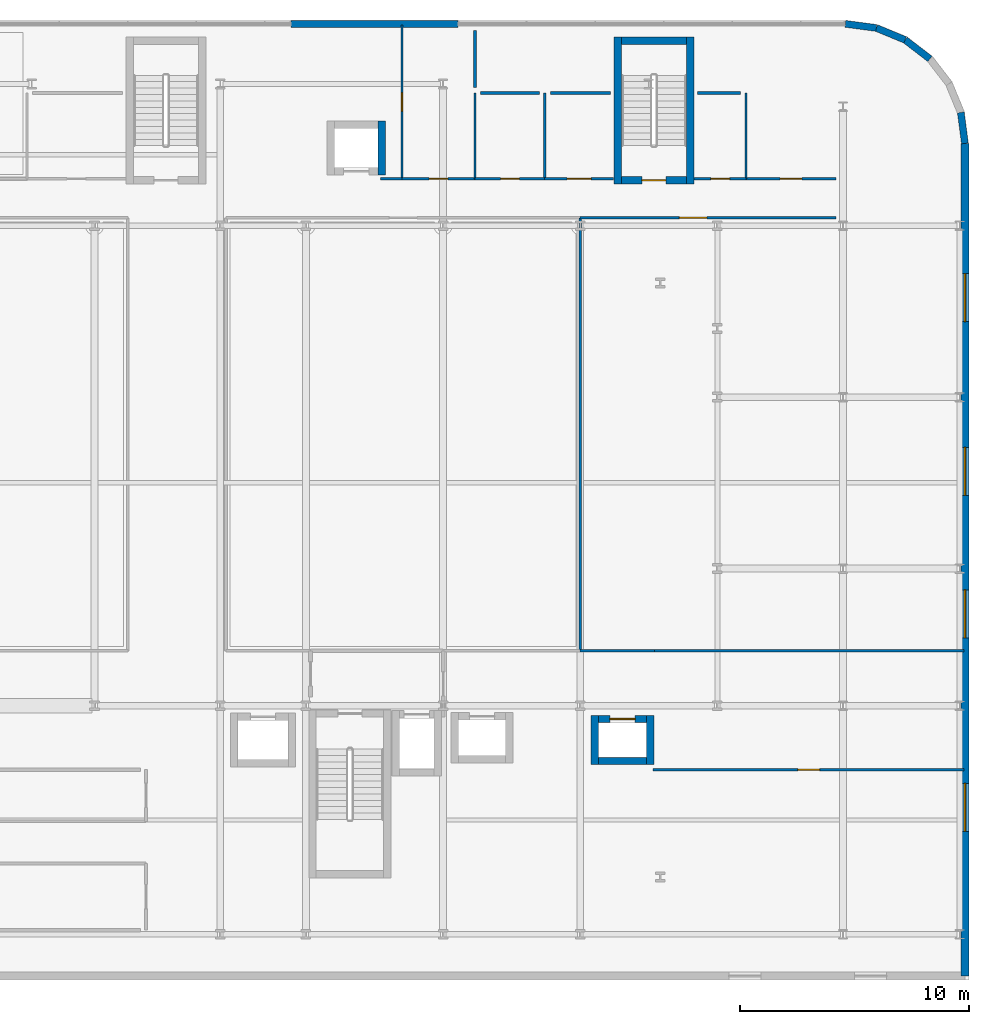
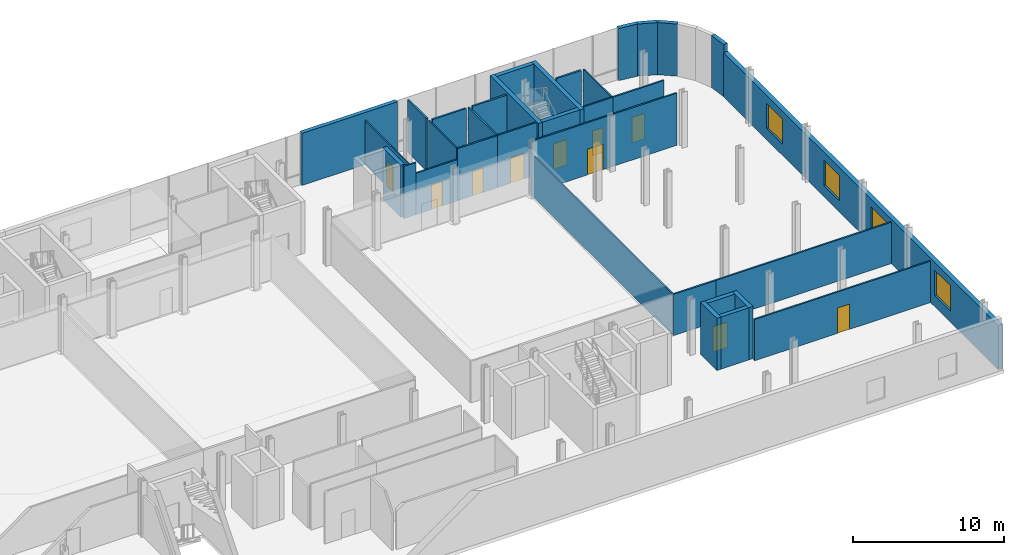
# One storey, part 19 of 25: 34 walls, 10 doors, 4 windows, 14 openings.
"""IFC4 building model written with IfcOpenShell, lengths in metres."""

import ifcopenshell
import ifcopenshell.guid

model = None  # the IFC model being written
_history = None  # IfcOwnerHistory: only IFC2X3 demands one
_inside = {}  # id of a spatial element -> (the spatial element, [elements in it])
_under = {}  # id of a project, library or spatial element -> (it, [spatial elements below it])
_declared = {}  # id of a project -> (the project, [libraries it declares])
_typed = {}  # id of a type object -> (the type object, [elements of that type])
_made_of = {}  # id of a material, layer set ... -> (it, [elements and type objects made of it])


def new_model(schema):
    """Start an empty IFC model of exactly this schema.

    Asked for "IFC4X3", IfcOpenShell would pick the latest addendum, in which some entities
    have other attributes; the version numbers below select the first issue.
    IFC2X3 requires an IfcOwnerHistory on every rooted entity: one is made here for all.
    """
    global model, _history
    if schema == "IFC4X3":
        model = ifcopenshell.file(schema_version=(4, 3, 0, 0))
    else:
        model = ifcopenshell.file(schema=schema)
    _inside.clear()
    _under.clear()
    _declared.clear()
    _typed.clear()
    _made_of.clear()
    _history = None
    if model.schema == "IFC2X3":
        org = make("IfcOrganization", Name="unknown")
        user = make(
            "IfcPersonAndOrganization",
            ThePerson=make("IfcPerson", FamilyName="unknown"),
            TheOrganization=org,
        )
        app = make(
            "IfcApplication",
            ApplicationDeveloper=org,
            Version="unknown",
            ApplicationFullName="unknown",
            ApplicationIdentifier="unknown",
        )
        _history = make(
            "IfcOwnerHistory",
            OwningUser=user,
            OwningApplication=app,
            ChangeAction="ADDED",
            CreationDate=0,
        )
    return model


def make(cls, **values):
    """One entity of the class cls with the attributes given. An attribute that is None is left unset."""
    return model.create_entity(
        cls, **{name: value for name, value in values.items() if value is not None}
    )


def rooted(cls, **values):
    """An entity with a GlobalId (a new one), such as an element, a storey or a relation."""
    return make(cls, GlobalId=ifcopenshell.guid.new(), OwnerHistory=_history, **values)


def si_unit(unit_type, name, prefix=None):
    """IfcSIUnit, for example si_unit("LENGTHUNIT", "METRE", prefix="MILLI")."""
    return make("IfcSIUnit", UnitType=unit_type, Prefix=prefix, Name=name)


def assignment(units):
    """IfcUnitAssignment: the units of a project."""
    return None if units is None else make("IfcUnitAssignment", Units=units)


def point(xyz):
    """IfcCartesianPoint."""
    return None if xyz is None else make("IfcCartesianPoint", Coordinates=xyz)


def direction(xyz):
    """IfcDirection."""
    return None if xyz is None else make("IfcDirection", DirectionRatios=xyz)


def frame(location, z_axis=None, x_axis=None):
    """IfcAxis2Placement3D, a coordinate frame: its origin and axes. An axis left out is left unset."""
    return make(
        "IfcAxis2Placement3D",
        Location=point(location),
        Axis=direction(z_axis),
        RefDirection=direction(x_axis),
    )


def frame_2d(location, x_axis=None):
    """IfcAxis2Placement2D, a coordinate frame in the plane: its origin and x axis."""
    return make(
        "IfcAxis2Placement2D", Location=point(location), RefDirection=direction(x_axis)
    )


def origin():
    """The frame at (0, 0, 0) with its axes left unset."""
    return frame((0.0, 0.0, 0.0))


def place(relative_to, where):
    """IfcLocalPlacement: puts the frame where relative to a parent placement (None: the world)."""
    return make(
        "IfcLocalPlacement", PlacementRelTo=relative_to, RelativePlacement=where
    )


def context(
    kind, dimensions, precision=None, world=None, true_north=None, identifier=None
):
    """IfcGeometricRepresentationContext, for example the 3D "Model" context."""
    return make(
        "IfcGeometricRepresentationContext",
        ContextIdentifier=identifier,
        ContextType=kind,
        CoordinateSpaceDimension=dimensions,
        Precision=precision,
        WorldCoordinateSystem=world,
        TrueNorth=true_north,
    )


def subcontext(parent, identifier, kind, view, scale=None):
    """IfcGeometricRepresentationSubContext, for example "Body" below "Model"."""
    return make(
        "IfcGeometricRepresentationSubContext",
        ContextIdentifier=identifier,
        ContextType=kind,
        ParentContext=parent,
        TargetScale=scale,
        TargetView=view,
    )


def project(units=None, contexts=None):
    """IfcProject with its units and contexts."""
    return rooted(
        "IfcProject",
        Name="project",
        RepresentationContexts=contexts,
        UnitsInContext=assignment(units),
    )


def spatial(cls, under=None, at=None, **own):
    """A site, building, storey or space (cls), placed at a placement, below another one or the project."""
    s = rooted(cls, ObjectPlacement=at, **own)
    if under is not None:
        _under.setdefault(under.id(), (under, []))[1].append(s)
    return s


def profile(cls, at=None, kind="AREA", **sizes):
    """A parametric profile (cls). Its sizes go by their IFC names, for example OverallWidth=200.0."""
    return make(cls, ProfileType=kind, Position=at, **sizes)


def rectangle(**sizes):
    """IfcRectangleProfileDef."""
    return profile("IfcRectangleProfileDef", **sizes)


def extrude(swept, where, along, depth):
    """IfcExtrudedAreaSolid: the profile swept, set in the frame where, extruded along a direction by depth."""
    return make(
        "IfcExtrudedAreaSolid",
        SweptArea=swept,
        Position=where,
        ExtrudedDirection=direction(along),
        Depth=depth,
    )


def shape(context_of_items, identifier, shape_type, items):
    """IfcShapeRepresentation: the items that make up one representation, for example the "Body"."""
    return make(
        "IfcShapeRepresentation",
        ContextOfItems=context_of_items,
        RepresentationIdentifier=identifier,
        RepresentationType=shape_type,
        Items=items,
    )


def material(Name=None, Category=None):
    """IfcMaterial."""
    return make("IfcMaterial", Name=Name, Category=Category)


def layer(
    of_material, thickness, ventilated=None, Name=None, Category=None, Priority=None
):
    """IfcMaterialLayer: one layer of a wall or slab, of a material (None: an air gap)."""
    return make(
        "IfcMaterialLayer",
        Material=of_material,
        LayerThickness=thickness,
        IsVentilated=ventilated,
        Name=Name,
        Category=Category,
        Priority=Priority,
    )


def layer_set(layers, Name=None):
    """IfcMaterialLayerSet."""
    return make("IfcMaterialLayerSet", MaterialLayers=layers, LayerSetName=Name)


def made_of(thing, what):
    """Note that an element or type object is made of a material, layer set ...; save() writes the relation."""
    if what is not None:
        _made_of.setdefault(what.id(), (what, []))[1].append(thing)
    return thing


def type_object(cls, material=None, **own):
    """A type object (cls), such as IfcWallType, which elements share."""
    return made_of(rooted(cls, **own), material)


def element(
    cls,
    number,
    at=None,
    inside=None,
    cuts=None,
    type_object=None,
    material=None,
    context=None,
    identifier="Body",
    shape_type=None,
    held_by="IfcProductDefinitionShape",
    body=None,
    shapes=None,
    **own,
):
    """One element of the class cls, such as IfcWall. Its Tag is "e" and its number.

    at: its placement. inside: the storey or other place that contains it. cuts: it is an
    opening in that element (IfcRelVoidsElement). A single representation is given by context,
    identifier, shape_type and body (its items); several are given by shapes. held_by: the class
    of the entity that holds the representations. save() writes the other relations.
    """
    e = rooted(cls, Tag="e%d" % number, ObjectPlacement=at, **own)
    if body is not None:
        shapes = [shape(context, identifier, shape_type, body)]
    if shapes is not None:
        e.Representation = make(held_by, Representations=shapes)
    if inside is not None:
        _inside.setdefault(inside.id(), (inside, []))[1].append(e)
    if cuts is not None:
        rooted(
            "IfcRelVoidsElement", RelatingBuildingElement=cuts, RelatedOpeningElement=e
        )
    if type_object is not None:
        _typed.setdefault(type_object.id(), (type_object, []))[1].append(e)
    return made_of(e, material)


def fill(opening, filler):
    """IfcRelFillsElement: the door or window that sits in an opening."""
    return rooted(
        "IfcRelFillsElement",
        RelatingOpeningElement=opening,
        RelatedBuildingElement=filler,
    )


def aggregate(whole, parts):
    """IfcRelAggregates: a whole, such as a stair, and the parts it consists of."""
    return rooted("IfcRelAggregates", RelatingObject=whole, RelatedObjects=parts)


def save(model, path):
    """Write the relations noted so far, then the file.

    IfcRelAggregates (storeys below a building ...), IfcRelContainedInSpatialStructure (elements
    in a storey), IfcRelDefinesByType, IfcRelAssociatesMaterial and IfcRelDeclares: one each for
    every whole, place, type object, material and project.
    """
    for whole, parts in _under.values():
        aggregate(whole, parts)
    for where, things in _inside.values():
        rooted(
            "IfcRelContainedInSpatialStructure",
            RelatedElements=things,
            RelatingStructure=where,
        )
    for kind, things in _typed.values():
        rooted("IfcRelDefinesByType", RelatedObjects=things, RelatingType=kind)
    for what, things in _made_of.values():
        rooted("IfcRelAssociatesMaterial", RelatedObjects=things, RelatingMaterial=what)
    for by, libraries in _declared.values():
        rooted("IfcRelDeclares", RelatingContext=by, RelatedDefinitions=libraries)
    model.write(path)


model = new_model("IFC4")

# Units and contexts
model_context = context("Model", 3, precision=1e-05, world=origin(), true_north=direction((0.0, 1.0)))
body_context = subcontext(model_context, "Body", "Model", "MODEL_VIEW")
ifc_project = project(units=[si_unit("LENGTHUNIT", "METRE"), si_unit("AREAUNIT", "SQUARE_METRE"), si_unit("VOLUMEUNIT", "CUBIC_METRE"), si_unit("PLANEANGLEUNIT", "RADIAN"), si_unit("MASSUNIT", "GRAM", prefix="KILO")], contexts=[model_context])

# Site, building, storey
site_placement = place(None, origin())
site = spatial("IfcSite", under=ifc_project, at=site_placement, CompositionType="ELEMENT")
building_placement = place(site_placement, origin())
building = spatial("IfcBuilding", under=site, at=building_placement, Name="Brevholm Reach", CompositionType="ELEMENT")
storey_placement = place(building_placement, frame((0.0, 0.0, 13.5)))
storey = spatial("IfcBuildingStorey", under=building, at=storey_placement, Name="L03", CompositionType="ELEMENT", Elevation=13.5)

# Walls
ifc_material_1 = material(Name="Concrete C60/75", Category="concrete")
ifc_layer_1 = layer(ifc_material_1, 0.320068359375)
ifc_layer_set_1 = layer_set([ifc_layer_1], Name="Concrete C60/75")
wall_type_1 = type_object("IfcWallType", Name="WAL-COR-320", PredefinedType="SHEAR", material=ifc_layer_set_1)
for number, where, z_axis, x_axis, name in (
    (1, (55.639892578125, 32.830078125, 0.0), (0.0, 0.0, 1.0), (0.0, 1.0, 0.0), "L03 Escape Stair ST-S4 Core Wall W"),
    (2, (58.81005859375, 32.830078125, 0.0), (0.0, 0.0, 1.0), (0.0, 1.0, 0.0), "L03 Escape Stair ST-S4 Core Wall E"),
):
    element("IfcWall", number, at=place(storey_placement, frame(where, z_axis=z_axis, x_axis=x_axis)), inside=storey, type_object=wall_type_1, Name=name, PredefinedType="SHEAR", context=body_context, shape_type="SweptSolid", body=[
        extrude(rectangle(XDim=6.419921875, YDim=0.320068359375, at=frame_2d((3.2099609375, 0.0))), origin(), (0.0, 0.0, 1.0), 4.219970703125),
    ])

# Wall, opening, door
wall_1_placement = place(storey_placement, frame((55.800048828125, 32.989990234375, 0.0), z_axis=(0.0, 0.0, 1.0), x_axis=(1.0, 0.0, 0.0)))
wall_1 = element("IfcWall", 3, at=wall_1_placement, inside=storey, type_object=wall_type_1, Name="L03 Escape Stair ST-S4 Core Wall S", PredefinedType="SHEAR", context=body_context, shape_type="SweptSolid", body=[
    extrude(rectangle(XDim=2.849853515625, YDim=0.320068359375, at=frame_2d((1.4248046875, 0.0))), origin(), (0.0, 0.0, 1.0), 4.219970703125),
])
opening_1_placement = place(wall_1_placement, frame((0.89990234375, 0.0, 0.0)))
opening_1 = element("IfcOpeningElement", 4, at=opening_1_placement, cuts=wall_1, Name="Opening SD-ST-S4", PredefinedType="OPENING", context=body_context, shape_type="SweptSolid", body=[
    extrude(rectangle(XDim=1.050048828125, YDim=2.06005859375, at=frame_2d((0.52490234375, 1.030029296875))), frame((0.0, 0.169921875, 0.0), z_axis=(0.0, -1.0, 0.0), x_axis=(1.0, 0.0, 0.0)), (0.0, 0.0, 1.0), 0.340087890625),
])
ifc_material_2 = material(Name="Hardwood-Lipped Steel-Core Fire and Smoke Door", Category="steel")
door_type_1 = type_object("IfcDoorType", Name="DOR-INT-FD60S", OperationType="NOTDEFINED", PredefinedType="DOOR", material=ifc_material_2)
door_1_placement = place(opening_1_placement, origin())
door_1 = element("IfcDoor", 5, at=door_1_placement, inside=storey, type_object=door_type_1, Name="L03 Protected Stair ST-S4 Lobby Door", OperationType="SINGLE_SWING_RIGHT", OverallHeight=2.06005859375, OverallWidth=1.050048828125, PredefinedType="DOOR", context=body_context, shape_type="SweptSolid", body=[
    extrude(rectangle(XDim=1.050048828125, YDim=2.06005859375, at=frame_2d((0.52490234375, 1.030029296875))), frame((0.0, 0.02490234375, 0.0), z_axis=(0.0, -1.0, 0.0), x_axis=(1.0, 0.0, 0.0)), (0.0, 0.0, 1.0), 0.050048828125),
])
fill(opening_1, door_1)

# Walls
wall_2_placement = place(storey_placement, frame((58.64990234375, 39.090087890625, 0.0), z_axis=(0.0, 0.0, 1.0), x_axis=(-1.0, 0.0, 0.0)))
element("IfcWall", 6, at=wall_2_placement, inside=storey, type_object=wall_type_1, Name="L03 Escape Stair ST-S4 Core Wall N", PredefinedType="SHEAR", context=body_context, shape_type="SweptSolid", body=[
    extrude(rectangle(XDim=2.849853515625, YDim=0.320068359375, at=frame_2d((1.4248046875, 0.0))), origin(), (0.0, 0.0, 1.0), 4.219970703125),
])
for number, where, z_axis, x_axis, name in (
    (7, (54.6298828125, 7.419921875, 0.0), (0.0, 0.0, 1.0), (0.0, 1.0, 0.0), "L03 Lift PL-L2 Shaft Wall W"),
    (8, (57.070068359375, 7.419921875, 0.0), (0.0, 0.0, 1.0), (0.0, 1.0, 0.0), "L03 Lift PL-L2 Shaft Wall E"),
):
    element("IfcWall", number, at=place(storey_placement, frame(where, z_axis=z_axis, x_axis=x_axis)), inside=storey, type_object=wall_type_1, Name=name, PredefinedType="SHEAR", context=body_context, shape_type="SweptSolid", body=[
        extrude(rectangle(XDim=2.16015625, YDim=0.320068359375, at=frame_2d((1.080078125, 0.0))), origin(), (0.0, 0.0, 1.0), 4.219970703125),
    ])
wall_3_placement = place(storey_placement, frame((54.7900390625, 7.580078125, 0.0), z_axis=(0.0, 0.0, 1.0), x_axis=(1.0, 0.0, 0.0)))
element("IfcWall", 9, at=wall_3_placement, inside=storey, type_object=wall_type_1, Name="L03 Lift PL-L2 Shaft Wall S", PredefinedType="SHEAR", context=body_context, shape_type="SweptSolid", body=[
    extrude(rectangle(XDim=2.119873046875, YDim=0.320068359375, at=frame_2d((1.06005859375, 0.0))), origin(), (0.0, 0.0, 1.0), 4.219970703125),
])

# Wall, opening, door
wall_4_placement = place(storey_placement, frame((54.7900390625, 9.419921875, 0.0), z_axis=(0.0, 0.0, 1.0), x_axis=(1.0, 0.0, 0.0)))
wall_4 = element("IfcWall", 10, at=wall_4_placement, inside=storey, type_object=wall_type_1, Name="L03 Lift PL-L2 Shaft Wall N", PredefinedType="SHEAR", context=body_context, shape_type="SweptSolid", body=[
    extrude(rectangle(XDim=2.119873046875, YDim=0.320068359375, at=frame_2d((1.06005859375, 0.0))), origin(), (0.0, 0.0, 1.0), 4.219970703125),
])
opening_2_placement = place(wall_4_placement, frame((0.510009765625, 0.0, 0.0)))
opening_2 = element("IfcOpeningElement", 11, at=opening_2_placement, cuts=wall_4, Name="Opening LD-PL-L2", PredefinedType="OPENING", context=body_context, shape_type="SweptSolid", body=[
    extrude(rectangle(XDim=1.10009765625, YDim=2.06005859375, at=frame_2d((0.550048828125, 1.030029296875))), frame((0.0, 0.169921875, 0.0), z_axis=(0.0, -1.0, 0.0), x_axis=(1.0, 0.0, 0.0)), (0.0, 0.0, 1.0), 0.340087890625),
])
ifc_material_3 = material(Name="Brushed Stainless Steel Fire-Rated Sliding Lift Door", Category="steel")
door_type_2 = type_object("IfcDoorType", Name="DOR-LFT-1100", OperationType="NOTDEFINED", PredefinedType="DOOR", material=ifc_material_3)
door_2_placement = place(opening_2_placement, origin())
door_2 = element("IfcDoor", 12, at=door_2_placement, inside=storey, type_object=door_type_2, Name="L03 Lift PL-L2 Sliding Landing Door", OperationType="SLIDING_TO_RIGHT", OverallHeight=2.06005859375, OverallWidth=1.10009765625, PredefinedType="DOOR", context=body_context, shape_type="SweptSolid", body=[
    extrude(rectangle(XDim=1.10009765625, YDim=2.06005859375, at=frame_2d((0.550048828125, 1.030029296875))), frame((0.0, 0.02490234375, 0.0), z_axis=(0.0, -1.0, 0.0), x_axis=(1.0, 0.0, 0.0)), (0.0, 0.0, 1.0), 0.050048828125),
])
fill(opening_2, door_2)

# Walls
wall_5_placement = place(storey_placement, frame((45.320068359375, 33.219970703125, 0.0), z_axis=(0.0, 0.0, 1.0), x_axis=(0.0, 1.0, 0.0)))
element("IfcWall", 13, at=wall_5_placement, inside=storey, type_object=wall_type_1, Name="L03 Lift SL-2 Shaft Wall E", PredefinedType="SHEAR", context=body_context, shape_type="SweptSolid", body=[
    extrude(rectangle(XDim=2.360107421875, YDim=0.320068359375, at=frame_2d((1.18017578125, 0.0))), origin(), (0.0, 0.0, 1.0), 4.219970703125),
])
ifc_material_4 = material(Name="Concrete C40/50", Category="concrete")
ifc_layer_2 = layer(ifc_material_4, 0.300048828125)
ifc_layer_set_2 = layer_set([ifc_layer_2], Name="Concrete C40/50")
wall_type_2 = type_object("IfcWallType", Name="WAL-EXT-300", PredefinedType="STANDARD", material=ifc_layer_set_2)
wall_6_placement = place(storey_placement, frame((65.60009765625, 39.830078125, 0.0), z_axis=(0.0, 0.0, 1.0), x_axis=(0.991442117533, -0.13054703207, 0.0)))
element("IfcWall", 14, at=wall_6_placement, inside=storey, type_object=wall_type_2, Name="L03 Facade Wall WAL-L03-NEP-1", PredefinedType="STANDARD", context=body_context, shape_type="SweptSolid", body=[
    extrude(rectangle(XDim=1.365234375, YDim=0.300048828125, at=frame_2d((0.6826171875, 0.0))), origin(), (0.0, 0.0, 1.0), 4.219970703125),
])
wall_7_placement = place(storey_placement, frame((66.95361328125, 39.65185546875, 0.0), z_axis=(0.0, 0.0, 1.0), x_axis=(0.923894797396, -0.382646577594, 0.0)))
element("IfcWall", 15, at=wall_7_placement, inside=storey, type_object=wall_type_2, Name="L03 Facade Wall WAL-L03-NEP-2", PredefinedType="STANDARD", context=body_context, shape_type="SweptSolid", body=[
    extrude(rectangle(XDim=1.365478515625, YDim=0.300048828125, at=frame_2d((0.6826171875, 0.0))), origin(), (0.0, 0.0, 1.0), 4.219970703125),
])
for number, where, z_axis, x_axis, name in (
    (16, (68.215087890625, 39.12939453125, 0.0), (0.0, 0.0, 1.0), (0.793255091989, -0.6088894473, 0.0), "L03 Facade Wall WAL-L03-NEP-3"),
    (17, (70.65185546875, 35.95361328125, 0.0), (0.0, 0.0, 1.0), (0.13054703207, -0.991442117533, 0.0), "L03 Facade Wall WAL-L03-NEP-6"),
):
    element("IfcWall", number, at=place(storey_placement, frame(where, z_axis=z_axis, x_axis=x_axis)), inside=storey, type_object=wall_type_2, Name=name, PredefinedType="STANDARD", context=body_context, shape_type="SweptSolid", body=[
        extrude(rectangle(XDim=1.365234375, YDim=0.300048828125, at=frame_2d((0.6826171875, 0.0))), origin(), (0.0, 0.0, 1.0), 4.219970703125),
    ])
wall_8_placement = place(storey_placement, frame((41.35009765625, 39.830078125, 0.0), z_axis=(0.0, 0.0, 1.0), x_axis=(1.0, 0.0, 0.0)))
element("IfcWall", 18, at=wall_8_placement, inside=storey, type_object=wall_type_2, Name="L03 Facade Wall WAL-L03-NPE", PredefinedType="STANDARD", context=body_context, shape_type="SweptSolid", body=[
    extrude(rectangle(XDim=7.2998046875, YDim=0.300048828125, at=frame_2d((3.64990234375, 0.0))), origin(), (0.0, 0.0, 1.0), 4.219970703125),
])

# Wall, openings, windows
ifc_material_5 = material(Name="Concrete C40/50", Category="concrete")
ifc_layer_3 = layer(ifc_material_5, 0.340087890625)
ifc_layer_set_3 = layer_set([ifc_layer_3], Name="Concrete C40/50")
wall_type_3 = type_object("IfcWallType", Name="WAL-EXT-340", PredefinedType="STANDARD", material=ifc_layer_set_3)
wall_9_placement = place(storey_placement, frame((70.830078125, -1.830078125, 0.0), z_axis=(0.0, 0.0, 1.0), x_axis=(0.0, 1.0, 0.0)))
wall_9 = element("IfcWall", 19, at=wall_9_placement, inside=storey, type_object=wall_type_3, Name="L03 Facade Wall WAL-L03-E", PredefinedType="STANDARD", context=body_context, shape_type="SweptSolid", body=[
    extrude(rectangle(XDim=36.43017578125, YDim=0.340087890625, at=frame_2d((18.215087890625, 0.0))), origin(), (0.0, 0.0, 1.0), 3.582763671875),
])
opening_3_placement = place(wall_9_placement, frame((6.330078125, 0.0, 0.89990234375)))
opening_3 = element("IfcOpeningElement", 20, at=opening_3_placement, cuts=wall_9, Name="Opening WN-02", PredefinedType="OPENING", context=body_context, shape_type="SweptSolid", body=[
    extrude(rectangle(XDim=2.10009765625, YDim=2.050048828125, at=frame_2d((1.050048828125, 1.02490234375))), frame((0.0, 0.179931640625, 0.0), z_axis=(0.0, -1.0, 0.0), x_axis=(1.0, 0.0, 0.0)), (0.0, 0.0, 1.0), 0.360107421875),
])
opening_4_placement = place(wall_9_placement, frame((14.800048828125, 0.0, 0.89990234375)))
opening_4 = element("IfcOpeningElement", 21, at=opening_4_placement, cuts=wall_9, Name="Opening WN-02", PredefinedType="OPENING", context=body_context, shape_type="SweptSolid", body=[
    extrude(rectangle(XDim=2.10009765625, YDim=2.050048828125, at=frame_2d((1.050048828125, 1.02490234375))), frame((0.0, 0.179931640625, 0.0), z_axis=(0.0, -1.0, 0.0), x_axis=(1.0, 0.0, 0.0)), (0.0, 0.0, 1.0), 0.360107421875),
])
opening_5_placement = place(wall_9_placement, frame((21.030029296875, 0.0, 0.89990234375)))
opening_5 = element("IfcOpeningElement", 22, at=opening_5_placement, cuts=wall_9, Name="Opening WN-02", PredefinedType="OPENING", context=body_context, shape_type="SweptSolid", body=[
    extrude(rectangle(XDim=2.10009765625, YDim=2.050048828125, at=frame_2d((1.050048828125, 1.02490234375))), frame((0.0, 0.179931640625, 0.0), z_axis=(0.0, -1.0, 0.0), x_axis=(1.0, 0.0, 0.0)), (0.0, 0.0, 1.0), 0.360107421875),
])
opening_6_placement = place(wall_9_placement, frame((28.6298828125, 0.0, 0.89990234375)))
opening_6 = element("IfcOpeningElement", 23, at=opening_6_placement, cuts=wall_9, Name="Opening WN-02", PredefinedType="OPENING", context=body_context, shape_type="SweptSolid", body=[
    extrude(rectangle(XDim=2.10009765625, YDim=2.050048828125, at=frame_2d((1.050048828125, 1.02490234375))), frame((0.0, 0.179931640625, 0.0), z_axis=(0.0, -1.0, 0.0), x_axis=(1.0, 0.0, 0.0)), (0.0, 0.0, 1.0), 0.360107421875),
])
ifc_material_6 = material(Name="Dark Anodised Aluminium and Solar-Control IGU Glass", Category="aluminium")
window_type = type_object("IfcWindowType", Name="WIN-SCH-2100", PartitioningType="SINGLE_PANEL", PredefinedType="WINDOW", material=ifc_material_6)
window_1_placement = place(opening_3_placement, origin())
window_1 = element("IfcWindow", 24, at=window_1_placement, inside=storey, type_object=window_type, Name="L03 Window WIN-L03-E-1", OverallHeight=2.050048828125, OverallWidth=2.10009765625, PartitioningType="SINGLE_PANEL", PredefinedType="WINDOW", context=body_context, shape_type="SweptSolid", body=[
    extrude(rectangle(XDim=2.10009765625, YDim=2.050048828125, at=frame_2d((1.050048828125, 1.02490234375))), frame((0.0, 0.030029296875, 0.0), z_axis=(0.0, -1.0, 0.0), x_axis=(1.0, 0.0, 0.0)), (0.0, 0.0, 1.0), 0.06005859375),
])
fill(opening_3, window_1)
window_2_placement = place(opening_4_placement, origin())
window_2 = element("IfcWindow", 25, at=window_2_placement, inside=storey, type_object=window_type, Name="L03 Window WIN-L03-E-2", OverallHeight=2.050048828125, OverallWidth=2.10009765625, PartitioningType="SINGLE_PANEL", PredefinedType="WINDOW", context=body_context, shape_type="SweptSolid", body=[
    extrude(rectangle(XDim=2.10009765625, YDim=2.050048828125, at=frame_2d((1.050048828125, 1.02490234375))), frame((0.0, 0.030029296875, 0.0), z_axis=(0.0, -1.0, 0.0), x_axis=(1.0, 0.0, 0.0)), (0.0, 0.0, 1.0), 0.06005859375),
])
fill(opening_4, window_2)
window_3_placement = place(opening_5_placement, origin())
window_3 = element("IfcWindow", 26, at=window_3_placement, inside=storey, type_object=window_type, Name="L03 Window WIN-L03-E-3", OverallHeight=2.050048828125, OverallWidth=2.10009765625, PartitioningType="SINGLE_PANEL", PredefinedType="WINDOW", context=body_context, shape_type="SweptSolid", body=[
    extrude(rectangle(XDim=2.10009765625, YDim=2.050048828125, at=frame_2d((1.050048828125, 1.02490234375))), frame((0.0, 0.030029296875, 0.0), z_axis=(0.0, -1.0, 0.0), x_axis=(1.0, 0.0, 0.0)), (0.0, 0.0, 1.0), 0.06005859375),
])
fill(opening_5, window_3)
window_4_placement = place(opening_6_placement, origin())
window_4 = element("IfcWindow", 27, at=window_4_placement, inside=storey, type_object=window_type, Name="L03 Window WIN-L03-E-4", OverallHeight=2.050048828125, OverallWidth=2.10009765625, PartitioningType="SINGLE_PANEL", PredefinedType="WINDOW", context=body_context, shape_type="SweptSolid", body=[
    extrude(rectangle(XDim=2.10009765625, YDim=2.050048828125, at=frame_2d((1.050048828125, 1.02490234375))), frame((0.0, 0.030029296875, 0.0), z_axis=(0.0, -1.0, 0.0), x_axis=(1.0, 0.0, 0.0)), (0.0, 0.0, 1.0), 0.06005859375),
])
fill(opening_6, window_4)

# Wall, opening, door
ifc_material_7 = material(Name="Moisture-Resistant Acoustic Gypsum Stud Partition 100 mm", Category="gypsum")
ifc_layer_4 = layer(ifc_material_7, 0.10009765625)
ifc_layer_set_4 = layer_set([ifc_layer_4], Name="Moisture-Resistant Acoustic Gypsum Stud Partition 100 mm")
wall_type_4 = type_object("IfcWallType", Name="WAL-PRT-100", PredefinedType="PARTITIONING", material=ifc_layer_set_4)
wall_10_placement = place(storey_placement, frame((46.199951171875, 33.053955078125, 0.0), z_axis=(0.0, 0.0, 1.0), x_axis=(0.0, 1.0, 0.0)))
wall_10 = element("IfcWall", 28, at=wall_10_placement, inside=storey, type_object=wall_type_4, Name="L03 Internal Partition 040", PredefinedType="PARTITIONING", context=body_context, shape_type="SweptSolid", body=[
    extrude(rectangle(XDim=6.72607421875, YDim=0.10009765625, at=frame_2d((3.363037109375, 0.0))), origin(), (0.0, 0.0, 1.0), 3.582763671875),
])
opening_7_placement = place(wall_10_placement, frame((2.952880859375, 0.0, 0.0)))
opening_7 = element("IfcOpeningElement", 29, at=opening_7_placement, cuts=wall_10, Name="Opening ID-03", PredefinedType="OPENING", context=body_context, shape_type="SweptSolid", body=[
    extrude(rectangle(XDim=0.820068359375, YDim=2.02001953125, at=frame_2d((0.41015625, 1.010009765625))), frame((0.0, 0.06005859375, 0.0), z_axis=(0.0, -1.0, 0.0), x_axis=(1.0, 0.0, 0.0)), (0.0, 0.0, 1.0), 0.1201171875),
])
ifc_material_8 = material(Name="Moisture-Resistant Painted Timber Internal Bathroom Door", Category="wood")
door_type_3 = type_object("IfcDoorType", Name="DOR-BATH-820", OperationType="NOTDEFINED", PredefinedType="DOOR", material=ifc_material_8)
door_3_placement = place(opening_7_placement, origin())
door_3 = element("IfcDoor", 30, at=door_3_placement, inside=storey, type_object=door_type_3, Name="L03 Access Door 024", OperationType="SINGLE_SWING_RIGHT", OverallHeight=2.02001953125, OverallWidth=0.820068359375, PredefinedType="DOOR", context=body_context, shape_type="SweptSolid", body=[
    extrude(rectangle(XDim=0.820068359375, YDim=2.02001953125, at=frame_2d((0.41015625, 1.010009765625))), frame((0.0, 0.02490234375, 0.0), z_axis=(0.0, -1.0, 0.0), x_axis=(1.0, 0.0, 0.0)), (0.0, 0.0, 1.0), 0.050048828125),
])
fill(opening_7, door_3)

# Walls
wall_11_placement = place(storey_placement, frame((49.39990234375, 33.053955078125, 0.0), z_axis=(0.0, 0.0, 1.0), x_axis=(0.0, 1.0, 0.0)))
element("IfcWall", 31, at=wall_11_placement, inside=storey, type_object=wall_type_4, Name="L03 Internal Partition 041", PredefinedType="PARTITIONING", context=body_context, shape_type="SweptSolid", body=[
    extrude(rectangle(XDim=3.75732421875, YDim=0.10009765625, at=frame_2d((1.878662109375, 0.0))), origin(), (0.0, 0.0, 1.0), 4.219970703125),
])
wall_12_placement = place(storey_placement, frame((61.25, 33.053955078125, 0.0), z_axis=(0.0, 0.0, 1.0), x_axis=(0.0, 1.0, 0.0)))
element("IfcWall", 32, at=wall_12_placement, inside=storey, type_object=wall_type_4, Name="L03 Internal Partition 043", PredefinedType="PARTITIONING", context=body_context, shape_type="SweptSolid", body=[
    extrude(rectangle(XDim=3.74609375, YDim=0.10009765625, at=frame_2d((1.873046875, 0.0))), origin(), (0.0, 0.0, 1.0), 4.219970703125),
])
wall_13_placement = place(storey_placement, frame((54.0, 12.404052734375, 0.0), z_axis=(0.0, 0.0, 1.0), x_axis=(0.0, 1.0, 0.0)))
element("IfcWall", 33, at=wall_13_placement, inside=storey, type_object=wall_type_4, Name="L03 Internal Partition 046", PredefinedType="PARTITIONING", context=body_context, shape_type="SweptSolid", body=[
    extrude(rectangle(XDim=18.94189453125, YDim=0.10009765625, at=frame_2d((9.470947265625, 0.0))), origin(), (0.0, 0.0, 1.0), 3.343994140625),
])
ifc_material_9 = material(Name="Acoustic Fire-Rated Classroom Gypsum Partition 120 mm", Category="gypsum")
ifc_layer_5 = layer(ifc_material_9, 0.1201171875)
ifc_layer_set_5 = layer_set([ifc_layer_5], Name="Acoustic Fire-Rated Classroom Gypsum Partition 120 mm")
wall_type_5 = type_object("IfcWallType", Name="WAL-PRT-120", PredefinedType="PARTITIONING", material=ifc_layer_set_5)
wall_14_placement = place(storey_placement, frame((45.272705078125, 33.050048828125, 0.0), z_axis=(0.0, 0.0, 1.0), x_axis=(1.0, 0.0, 0.0)))
element("IfcWall", 34, at=wall_14_placement, inside=storey, type_object=wall_type_5, Name="L03 Internal Partition 018", PredefinedType="PARTITIONING", context=body_context, shape_type="SweptSolid", body=[
    extrude(rectangle(XDim=0.9384765625, YDim=0.1201171875, at=frame_2d((0.46923828125, 0.0))), origin(), (0.0, 0.0, 1.0), 4.219970703125),
])

# Wall, opening, door
wall_15_placement = place(storey_placement, frame((46.192626953125, 33.050048828125, 0.0), z_axis=(0.0, 0.0, 1.0), x_axis=(1.0, 0.0, 0.0)))
wall_15 = element("IfcWall", 35, at=wall_15_placement, inside=storey, type_object=wall_type_5, Name="L03 Internal Partition 019", PredefinedType="PARTITIONING", context=body_context, shape_type="SweptSolid", body=[
    extrude(rectangle(XDim=3.21875, YDim=0.1201171875, at=frame_2d((1.609375, 0.0))), origin(), (0.0, 0.0, 1.0), 3.343994140625),
])
opening_8_placement = place(wall_15_placement, frame((1.19921875, 0.0, 0.0)))
opening_8 = element("IfcOpeningElement", 36, at=opening_8_placement, cuts=wall_15, Name="Opening ID-02", PredefinedType="OPENING", context=body_context, shape_type="SweptSolid", body=[
    extrude(rectangle(XDim=0.820068359375, YDim=2.02001953125, at=frame_2d((0.41015625, 1.010009765625))), frame((0.0, 0.070068359375, 0.0), z_axis=(0.0, -1.0, 0.0), x_axis=(1.0, 0.0, 0.0)), (0.0, 0.0, 1.0), 0.14013671875),
])
ifc_material_10 = material(Name="Moisture-Resistant Painted Timber Fire-Rated Riser and Service Door", Category="wood")
door_type_4 = type_object("IfcDoorType", Name="DOR-SRV-820", OperationType="NOTDEFINED", PredefinedType="DOOR", material=ifc_material_10)
door_4_placement = place(opening_8_placement, origin())
door_4 = element("IfcDoor", 37, at=door_4_placement, inside=storey, type_object=door_type_4, Name="L03 Internal Door 011", OperationType="SINGLE_SWING_LEFT", OverallHeight=2.02001953125, OverallWidth=0.820068359375, PredefinedType="DOOR", context=body_context, shape_type="SweptSolid", body=[
    extrude(rectangle(XDim=0.820068359375, YDim=2.02001953125, at=frame_2d((0.41015625, 1.010009765625))), frame((0.0, 0.02490234375, 0.0), z_axis=(0.0, -1.0, 0.0), x_axis=(1.0, 0.0, 0.0)), (0.0, 0.0, 1.0), 0.050048828125),
])
fill(opening_8, door_4)

wall_16_placement = place(storey_placement, frame((49.392578125, 33.050048828125, 0.0), z_axis=(0.0, 0.0, 1.0), x_axis=(1.0, 0.0, 0.0)))
wall_16 = element("IfcWall", 38, at=wall_16_placement, inside=storey, type_object=wall_type_5, Name="L03 Internal Partition 020", PredefinedType="PARTITIONING", context=body_context, shape_type="SweptSolid", body=[
    extrude(rectangle(XDim=3.068603515625, YDim=0.1201171875, at=frame_2d((1.5341796875, 0.0))), origin(), (0.0, 0.0, 1.0), 4.219970703125),
])
opening_9_placement = place(wall_16_placement, frame((1.124267578125, 0.0, 0.0)))
opening_9 = element("IfcOpeningElement", 39, at=opening_9_placement, cuts=wall_16, Name="Opening ID-02", PredefinedType="OPENING", context=body_context, shape_type="SweptSolid", body=[
    extrude(rectangle(XDim=0.820068359375, YDim=2.02001953125, at=frame_2d((0.41015625, 1.010009765625))), frame((0.0, 0.070068359375, 0.0), z_axis=(0.0, -1.0, 0.0), x_axis=(1.0, 0.0, 0.0)), (0.0, 0.0, 1.0), 0.14013671875),
])
door_5_placement = place(opening_9_placement, origin())
door_5 = element("IfcDoor", 40, at=door_5_placement, inside=storey, type_object=door_type_4, Name="L03 Internal Door 012", OperationType="SINGLE_SWING_RIGHT", OverallHeight=2.02001953125, OverallWidth=0.820068359375, PredefinedType="DOOR", context=body_context, shape_type="SweptSolid", body=[
    extrude(rectangle(XDim=0.820068359375, YDim=2.02001953125, at=frame_2d((0.41015625, 1.010009765625))), frame((0.0, 0.02490234375, 0.0), z_axis=(0.0, -1.0, 0.0), x_axis=(1.0, 0.0, 0.0)), (0.0, 0.0, 1.0), 0.050048828125),
])
fill(opening_9, door_5)

wall_17_placement = place(storey_placement, frame((52.442626953125, 33.050048828125, 0.0), z_axis=(0.0, 0.0, 1.0), x_axis=(1.0, 0.0, 0.0)))
wall_17 = element("IfcWall", 41, at=wall_17_placement, inside=storey, type_object=wall_type_5, Name="L03 Internal Partition 021", PredefinedType="PARTITIONING", context=body_context, shape_type="SweptSolid", body=[
    extrude(rectangle(XDim=3.0185546875, YDim=0.1201171875, at=frame_2d((1.50927734375, 0.0))), origin(), (0.0, 0.0, 1.0), 4.219970703125),
])
opening_10_placement = place(wall_17_placement, frame((0.984375, 0.0, 0.0)))
opening_10 = element("IfcOpeningElement", 42, at=opening_10_placement, cuts=wall_17, Name="Opening FD-01", PredefinedType="OPENING", context=body_context, shape_type="SweptSolid", body=[
    extrude(rectangle(XDim=1.050048828125, YDim=2.06005859375, at=frame_2d((0.52490234375, 1.030029296875))), frame((0.0, 0.070068359375, 0.0), z_axis=(0.0, -1.0, 0.0), x_axis=(1.0, 0.0, 0.0)), (0.0, 0.0, 1.0), 0.14013671875),
])
door_6_placement = place(opening_10_placement, origin())
door_6 = element("IfcDoor", 43, at=door_6_placement, inside=storey, type_object=door_type_1, Name="L03 Internal Door 013", OperationType="SINGLE_SWING_LEFT", OverallHeight=2.06005859375, OverallWidth=1.050048828125, PredefinedType="DOOR", context=body_context, shape_type="SweptSolid", body=[
    extrude(rectangle(XDim=1.050048828125, YDim=2.06005859375, at=frame_2d((0.52490234375, 1.030029296875))), frame((0.0, 0.02490234375, 0.0), z_axis=(0.0, -1.0, 0.0), x_axis=(1.0, 0.0, 0.0)), (0.0, 0.0, 1.0), 0.050048828125),
])
fill(opening_10, door_6)

wall_18_placement = place(storey_placement, frame((58.97998046875, 33.050048828125, 0.0), z_axis=(0.0, 0.0, 1.0), x_axis=(1.0, 0.0, 0.0)))
wall_18 = element("IfcWall", 44, at=wall_18_placement, inside=storey, type_object=wall_type_5, Name="L03 Internal Partition 022", PredefinedType="PARTITIONING", context=body_context, shape_type="SweptSolid", body=[
    extrude(rectangle(XDim=2.28125, YDim=0.1201171875, at=frame_2d((1.140625, 0.0))), origin(), (0.0, 0.0, 1.0), 4.219970703125),
])
opening_11_placement = place(wall_18_placement, frame((0.730712890625, 0.0, 0.0)))
opening_11 = element("IfcOpeningElement", 45, at=opening_11_placement, cuts=wall_18, Name="Opening ID-02", PredefinedType="OPENING", context=body_context, shape_type="SweptSolid", body=[
    extrude(rectangle(XDim=0.820068359375, YDim=2.02001953125, at=frame_2d((0.41015625, 1.010009765625))), frame((0.0, 0.070068359375, 0.0), z_axis=(0.0, -1.0, 0.0), x_axis=(1.0, 0.0, 0.0)), (0.0, 0.0, 1.0), 0.14013671875),
])
door_7_placement = place(opening_11_placement, origin())
door_7 = element("IfcDoor", 46, at=door_7_placement, inside=storey, type_object=door_type_4, Name="L03 Internal Door 014", OperationType="SINGLE_SWING_RIGHT", OverallHeight=2.02001953125, OverallWidth=0.820068359375, PredefinedType="DOOR", context=body_context, shape_type="SweptSolid", body=[
    extrude(rectangle(XDim=0.820068359375, YDim=2.02001953125, at=frame_2d((0.41015625, 1.010009765625))), frame((0.0, 0.02490234375, 0.0), z_axis=(0.0, -1.0, 0.0), x_axis=(1.0, 0.0, 0.0)), (0.0, 0.0, 1.0), 0.050048828125),
])
fill(opening_11, door_7)

wall_19_placement = place(storey_placement, frame((61.24267578125, 33.050048828125, 0.0), z_axis=(0.0, 0.0, 1.0), x_axis=(1.0, 0.0, 0.0)))
wall_19 = element("IfcWall", 47, at=wall_19_placement, inside=storey, type_object=wall_type_5, Name="L03 Internal Partition 023", PredefinedType="PARTITIONING", context=body_context, shape_type="SweptSolid", body=[
    extrude(rectangle(XDim=3.957275390625, YDim=0.1201171875, at=frame_2d((1.978515625, 0.0))), origin(), (0.0, 0.0, 1.0), 4.219970703125),
])
opening_12_placement = place(wall_19_placement, frame((1.503662109375, 0.0, 0.0)))
opening_12 = element("IfcOpeningElement", 48, at=opening_12_placement, cuts=wall_19, Name="Opening ID-30", PredefinedType="OPENING", context=body_context, shape_type="SweptSolid", body=[
    extrude(rectangle(XDim=0.949951171875, YDim=2.050048828125, at=frame_2d((0.47509765625, 1.02490234375))), frame((0.0, 0.070068359375, 0.0), z_axis=(0.0, -1.0, 0.0), x_axis=(1.0, 0.0, 0.0)), (0.0, 0.0, 1.0), 0.14013671875),
])
ifc_material_11 = material(Name="European Oak Veneered Solid-Core Fire Entrance Door", Category="timber")
door_type_5 = type_object("IfcDoorType", Name="DOR-FLT-FD30S", OperationType="NOTDEFINED", PredefinedType="DOOR", material=ifc_material_11)
door_8_placement = place(opening_12_placement, origin())
door_8 = element("IfcDoor", 49, at=door_8_placement, inside=storey, type_object=door_type_5, Name="L03 Internal Door 015", OperationType="SINGLE_SWING_LEFT", OverallHeight=2.050048828125, OverallWidth=0.949951171875, PredefinedType="DOOR", context=body_context, shape_type="SweptSolid", body=[
    extrude(rectangle(XDim=0.949951171875, YDim=2.050048828125, at=frame_2d((0.47509765625, 1.02490234375))), frame((0.0, 0.02490234375, 0.0), z_axis=(0.0, -1.0, 0.0), x_axis=(1.0, 0.0, 0.0)), (0.0, 0.0, 1.0), 0.050048828125),
])
fill(opening_12, door_8)

wall_20_placement = place(storey_placement, frame((53.99267578125, 31.35009765625, 0.0), z_axis=(0.0, 0.0, 1.0), x_axis=(1.0, 0.0, 0.0)))
wall_20 = element("IfcWall", 50, at=wall_20_placement, inside=storey, type_object=wall_type_5, Name="L03 Internal Partition 028", PredefinedType="PARTITIONING", context=body_context, shape_type="SweptSolid", body=[
    extrude(rectangle(XDim=11.207275390625, YDim=0.1201171875, at=frame_2d((5.603515625, 0.0))), origin(), (0.0, 0.0, 1.0), 4.219970703125),
])
opening_13_placement = place(wall_20_placement, frame((4.34375, 0.0, 0.0)))
opening_13 = element("IfcOpeningElement", 51, at=opening_13_placement, cuts=wall_20, Name="Opening ID-SC", PredefinedType="OPENING", context=body_context, shape_type="SweptSolid", body=[
    extrude(rectangle(XDim=1.199951171875, YDim=2.080078125, at=frame_2d((0.60009765625, 1.0400390625))), frame((0.0, 0.070068359375, 0.0), z_axis=(0.0, -1.0, 0.0), x_axis=(1.0, 0.0, 0.0)), (0.0, 0.0, 1.0), 0.14013671875),
])
ifc_material_12 = material(Name="Acoustic European Oak Classroom Vision-Panel Fire Door", Category="timber")
door_type_6 = type_object("IfcDoorType", Name="DOR-SCH-1200", OperationType="NOTDEFINED", PredefinedType="DOOR", material=ifc_material_12)
door_9_placement = place(opening_13_placement, origin())
door_9 = element("IfcDoor", 52, at=door_9_placement, inside=storey, type_object=door_type_6, Name="L03 Internal Door 020", OperationType="SINGLE_SWING_RIGHT", OverallHeight=2.080078125, OverallWidth=1.199951171875, PredefinedType="DOOR", context=body_context, shape_type="SweptSolid", body=[
    extrude(rectangle(XDim=1.199951171875, YDim=2.080078125, at=frame_2d((0.60009765625, 1.0400390625))), frame((0.0, 0.02490234375, 0.0), z_axis=(0.0, -1.0, 0.0), x_axis=(1.0, 0.0, 0.0)), (0.0, 0.0, 1.0), 0.050048828125),
])
fill(opening_13, door_9)

# Walls
wall_21_placement = place(storey_placement, frame((53.99267578125, 12.39990234375, 0.0), z_axis=(0.0, 0.0, 1.0), x_axis=(1.0, 0.0, 0.0)))
element("IfcWall", 53, at=wall_21_placement, inside=storey, type_object=wall_type_5, Name="L03 Internal Partition 036", PredefinedType="PARTITIONING", context=body_context, shape_type="SweptSolid", body=[
    extrude(rectangle(XDim=3.25732421875, YDim=0.1201171875, at=frame_2d((1.628662109375, 0.0))), origin(), (0.0, 0.0, 1.0), 3.343994140625),
])
wall_22_placement = place(storey_placement, frame((52.449951171875, 33.053955078125, 0.0), z_axis=(0.0, 0.0, 1.0), x_axis=(0.0, 1.0, 0.0)))
element("IfcWall", 54, at=wall_22_placement, inside=storey, type_object=wall_type_5, Name="L03 Internal Partition 042", PredefinedType="PARTITIONING", context=body_context, shape_type="SweptSolid", body=[
    extrude(rectangle(XDim=3.74609375, YDim=0.1201171875, at=frame_2d((1.873046875, 0.0))), origin(), (0.0, 0.0, 1.0), 4.219970703125),
])
wall_23_placement = place(storey_placement, frame((57.25390625, 12.39990234375, 0.0), z_axis=(0.0, 0.0, 1.0), x_axis=(1.0, 0.0, 0.0)))
element("IfcWall", 55, at=wall_23_placement, inside=storey, type_object=wall_type_5, Name="L03 Internal Partition 047", PredefinedType="PARTITIONING", context=body_context, shape_type="SweptSolid", body=[
    extrude(rectangle(XDim=13.546142578125, YDim=0.1201171875, at=frame_2d((6.77294921875, 0.0))), origin(), (0.0, 0.0, 1.0), 3.343994140625),
])

# Wall, opening, door
wall_24_placement = place(storey_placement, frame((57.188720703125, 7.199951171875, 0.0), z_axis=(0.0, 0.0, 1.0), x_axis=(1.0, 0.0, 0.0)))
wall_24 = element("IfcWall", 56, at=wall_24_placement, inside=storey, type_object=wall_type_5, Name="L03 Internal Partition 048", PredefinedType="PARTITIONING", context=body_context, shape_type="SweptSolid", body=[
    extrude(rectangle(XDim=13.611328125, YDim=0.1201171875, at=frame_2d((6.8056640625, 0.0))), origin(), (0.0, 0.0, 1.0), 3.343994140625),
])
opening_14_placement = place(wall_24_placement, frame((6.330810546875, 0.0, 0.0)))
opening_14 = element("IfcOpeningElement", 57, at=opening_14_placement, cuts=wall_24, Name="Opening ID-30", PredefinedType="OPENING", context=body_context, shape_type="SweptSolid", body=[
    extrude(rectangle(XDim=0.949951171875, YDim=2.050048828125, at=frame_2d((0.47509765625, 1.02490234375))), frame((0.0, 0.070068359375, 0.0), z_axis=(0.0, -1.0, 0.0), x_axis=(1.0, 0.0, 0.0)), (0.0, 0.0, 1.0), 0.14013671875),
])
door_10_placement = place(opening_14_placement, origin())
door_10 = element("IfcDoor", 58, at=door_10_placement, inside=storey, type_object=door_type_5, Name="L03 Internal Door 023", OperationType="SINGLE_SWING_LEFT", OverallHeight=2.050048828125, OverallWidth=0.949951171875, PredefinedType="DOOR", context=body_context, shape_type="SweptSolid", body=[
    extrude(rectangle(XDim=0.949951171875, YDim=2.050048828125, at=frame_2d((0.47509765625, 1.02490234375))), frame((0.0, 0.02490234375, 0.0), z_axis=(0.0, -1.0, 0.0), x_axis=(1.0, 0.0, 0.0)), (0.0, 0.0, 1.0), 0.050048828125),
])
fill(opening_14, door_10)

# Walls
ifc_material_13 = material(Name="Twin-Stud Acoustic Fire-Rated Gypsum Partition 140 mm", Category="gypsum")
ifc_layer_6 = layer(ifc_material_13, 0.139892578125)
ifc_layer_set_6 = layer_set([ifc_layer_6], Name="Twin-Stud Acoustic Fire-Rated Gypsum Partition 140 mm")
wall_type_6 = type_object("IfcWallType", Name="WAL-PRT-140", PredefinedType="PARTITIONING", material=ifc_layer_set_6)
wall_25_placement = place(storey_placement, frame((49.39990234375, 37.05126953125, 0.0), z_axis=(0.0, 0.0, 1.0), x_axis=(0.0, 1.0, 0.0)))
element("IfcWall", 59, at=wall_25_placement, inside=storey, type_object=wall_type_6, Name="L03 Internal Partition 054", PredefinedType="PARTITIONING", context=body_context, shape_type="SweptSolid", body=[
    extrude(rectangle(XDim=2.498779296875, YDim=0.139892578125, at=frame_2d((1.24951171875, 0.0))), origin(), (0.0, 0.0, 1.0), 4.219970703125),
])
wall_26_placement = place(storey_placement, frame((49.639892578125, 36.800048828125, 0.0), z_axis=(0.0, 0.0, 1.0), x_axis=(1.0, 0.0, 0.0)))
element("IfcWall", 60, at=wall_26_placement, inside=storey, type_object=wall_type_6, Name="L03 Internal Partition 055", PredefinedType="PARTITIONING", context=body_context, shape_type="SweptSolid", body=[
    extrude(rectangle(XDim=2.570068359375, YDim=0.139892578125, at=frame_2d((1.28515625, 0.0))), origin(), (0.0, 0.0, 1.0), 4.219970703125),
])
wall_27_placement = place(storey_placement, frame((52.68994140625, 36.800048828125, 0.0), z_axis=(0.0, 0.0, 1.0), x_axis=(1.0, 0.0, 0.0)))
element("IfcWall", 61, at=wall_27_placement, inside=storey, type_object=wall_type_6, Name="L03 Internal Partition 056", PredefinedType="PARTITIONING", context=body_context, shape_type="SweptSolid", body=[
    extrude(rectangle(XDim=2.64013671875, YDim=0.139892578125, at=frame_2d((1.320068359375, 0.0))), origin(), (0.0, 0.0, 1.0), 4.219970703125),
])
wall_28_placement = place(storey_placement, frame((59.1201171875, 36.800048828125, 0.0), z_axis=(0.0, 0.0, 1.0), x_axis=(1.0, 0.0, 0.0)))
element("IfcWall", 62, at=wall_28_placement, inside=storey, type_object=wall_type_6, Name="L03 Internal Partition 057", PredefinedType="PARTITIONING", context=body_context, shape_type="SweptSolid", body=[
    extrude(rectangle(XDim=1.889892578125, YDim=0.139892578125, at=frame_2d((0.94482421875, 0.0))), origin(), (0.0, 0.0, 1.0), 4.219970703125),
])

save(model, "model.ifc")
